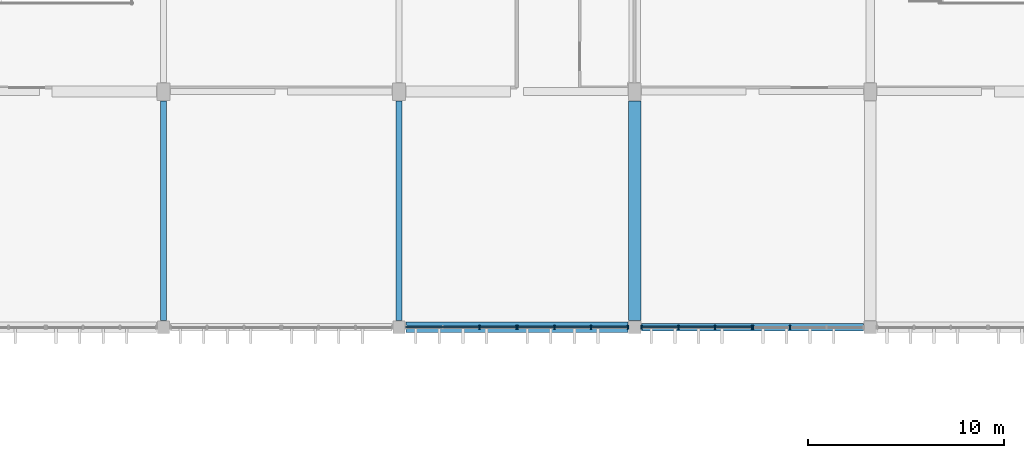
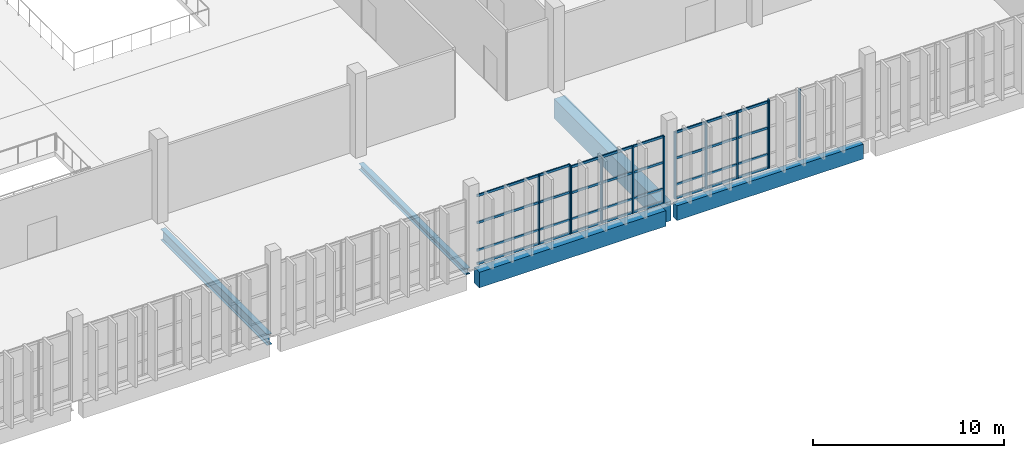
# One storey, part 30 of 112: 24 members, 5 beams, 4 elements without a shape of their own.
"""IFC4 building model written with IfcOpenShell, lengths in metres."""

from ifc_helpers import new_model, si_unit, direction, frame, origin, origin_2d, place, context, subcontext, project, spatial, rectangle, i_section, extrude, material, material_profile, profile_set, type_object, element, aggregate, save


model = new_model("IFC4")

# Units and contexts
model_context = context("Model", 3, precision=1e-05, world=origin(), true_north=direction((0.0, 1.0)))
body_context = subcontext(model_context, "Body", "Model", "MODEL_VIEW")
ifc_project = project(units=[si_unit("LENGTHUNIT", "METRE"), si_unit("AREAUNIT", "SQUARE_METRE"), si_unit("VOLUMEUNIT", "CUBIC_METRE"), si_unit("PLANEANGLEUNIT", "RADIAN"), si_unit("MASSUNIT", "GRAM", prefix="KILO")], contexts=[model_context])

# Site, building, storey
site_placement = place(None, origin())
site = spatial("IfcSite", under=ifc_project, at=site_placement, CompositionType="ELEMENT")
building_placement = place(site_placement, origin())
building = spatial("IfcBuilding", under=site, at=building_placement, Name="Kamomehara Wholesale Market", CompositionType="ELEMENT")
storey_placement = place(building_placement, frame((0.0, 0.0, 6.60009765625)))
storey = spatial("IfcBuildingStorey", under=building, at=storey_placement, Name="L01", CompositionType="ELEMENT", Elevation=6.60009765625)

# Beams
ifc_material_1 = material(Name="Precast concrete Fc45 (C40/50)", Category="concrete")
ifc_material_profile_1 = material_profile(ifc_material_1, rectangle(XDim=0.64990234375, YDim=1.25, at=origin_2d()), Name="PC-GRD-650x1250")
ifc_profile_set_1 = profile_set([ifc_material_profile_1], Name="Precast concrete Fc45 (C40/50)")
beam_type_1 = type_object("IfcBeamType", Name="BM-PG1250", PredefinedType="T_BEAM", material=ifc_profile_set_1)
beam_1_placement = place(storey_placement, frame((120.0, 96.35009765625, -0.97705078125), z_axis=(0.0, 1.0, 0.0), x_axis=(-1.0, 0.0, 0.0)))
element("IfcBeam", 1, at=beam_1_placement, inside=storey, type_object=beam_type_1, Name="Beam PG-04 L01", PredefinedType="T_BEAM", context=body_context, shape_type="SweptSolid", body=[
    extrude(rectangle(XDim=0.64990234375, YDim=1.25, at=origin_2d()), origin(), (0.0, 0.0, 1.0), 11.1748046875),
])
ifc_material_2 = material(Name="Concrete Fc36 (C35/45)", Category="concrete")
ifc_material_profile_2 = material_profile(ifc_material_2, rectangle(XDim=0.550048828125, YDim=1.0, at=origin_2d()), Name="RC-SEB-550x1000")
ifc_profile_set_2 = profile_set([ifc_material_profile_2], Name="Concrete Fc36 (C35/45)")
beam_type_2 = type_object("IfcBeamType", Name="BM-SEB1000-EXT", PredefinedType="SPANDREL", material=ifc_profile_set_2)
beam_2_placement = place(storey_placement, frame((108.35009765625, 96.0, -0.85205078125), z_axis=(1.0, 0.0, 0.0), x_axis=(0.0, 1.0, 0.0)))
element("IfcBeam", 2, at=beam_2_placement, inside=storey, type_object=beam_type_2, Name="Beam SEB-03E L01", PredefinedType="SPANDREL", context=body_context, shape_type="SweptSolid", body=[
    extrude(rectangle(XDim=0.550048828125, YDim=1.0, at=origin_2d()), origin(), (0.0, 0.0, 1.0), 11.2998046875),
])
ifc_material_3 = material(Name="Precast concrete Fc45 (C40/50)", Category="concrete")
ifc_material_profile_3 = material_profile(ifc_material_3, rectangle(XDim=0.39990234375, YDim=0.949951171875, at=origin_2d()), Name="PC-SPN-400x950")
ifc_profile_set_3 = profile_set([ifc_material_profile_3], Name="Precast concrete Fc45 (C40/50)")
beam_type_3 = type_object("IfcBeamType", Name="BM-SPN950-EXT", PredefinedType="SPANDREL", material=ifc_profile_set_3)
beam_3_placement = place(storey_placement, frame((120.35009765625, 96.0, -0.817138671875), z_axis=(1.0, 0.0, 0.0), x_axis=(0.0, 1.0, 0.0)))
element("IfcBeam", 3, at=beam_3_placement, inside=storey, type_object=beam_type_3, Name="Beam SPN-01E L01", PredefinedType="SPANDREL", context=body_context, shape_type="SweptSolid", body=[
    extrude(rectangle(XDim=0.39990234375, YDim=0.949951171875, at=origin_2d()), origin(), (0.0, 0.0, 1.0), 11.2998046875),
])
ifc_material_4 = material(Name="Steel SN490B", Category="steel")
ifc_material_profile_4 = material_profile(ifc_material_4, i_section(OverallWidth=0.300048828125, OverallDepth=0.389892578125, WebThickness=0.010009765625, FlangeThickness=0.01611328125, FilletRadius=0.01806640625, at=origin_2d()), Name="H-390x300x10x16")
ifc_profile_set_4 = profile_set([ifc_material_profile_4], Name="Steel SN490B")
beam_type_4 = type_object("IfcBeamType", Name="BM-ST-H390-EXT", PredefinedType="SPANDREL", material=ifc_profile_set_4)
beam_4_placement = place(storey_placement, frame((108.0, 96.35009765625, -0.547119140625), z_axis=(0.0, 1.0, 0.0), x_axis=(-1.0, 0.0, 0.0)))
element("IfcBeam", 4, at=beam_4_placement, inside=storey, type_object=beam_type_4, Name="Beam SJ-03E L01", PredefinedType="SPANDREL", context=body_context, shape_type="SweptSolid", body=[
    extrude(i_section(OverallWidth=0.300048828125, OverallDepth=0.389892578125, WebThickness=0.010009765625, FlangeThickness=0.01611328125, FilletRadius=0.01806640625, at=origin_2d()), origin(), (0.0, 0.0, 1.0), 11.1748046875),
])
ifc_material_5 = material(Name="Steel SN490B", Category="steel")
ifc_material_profile_5 = material_profile(ifc_material_5, i_section(OverallWidth=0.300048828125, OverallDepth=0.699951171875, WebThickness=0.012939453125, FlangeThickness=0.02392578125, FilletRadius=0.02197265625, at=origin_2d()), Name="H-700x300x13x24")
ifc_profile_set_5 = profile_set([ifc_material_profile_5], Name="Steel SN490B")
beam_type_5 = type_object("IfcBeamType", Name="BM-ST-H700", PredefinedType="BEAM", material=ifc_profile_set_5)
beam_5_placement = place(storey_placement, frame((96.0, 96.35009765625, -0.7021484375), z_axis=(0.0, 1.0, 0.0), x_axis=(-1.0, 0.0, 0.0)))
element("IfcBeam", 5, at=beam_5_placement, inside=storey, type_object=beam_type_5, Name="Beam SG-03 L01", PredefinedType="BEAM", context=body_context, shape_type="SweptSolid", body=[
    extrude(i_section(OverallWidth=0.300048828125, OverallDepth=0.699951171875, WebThickness=0.012939453125, FlangeThickness=0.02392578125, FilletRadius=0.02197265625, at=origin_2d()), origin(), (0.0, 0.0, 1.0), 11.1748046875),
])

# Curtain wall, members
ifc_material_6 = material(Name="Anodised aluminium 6063-T5", Category="aluminium")
curtain_wall_type = type_object("IfcCurtainWallType", Name="CW-UN-02", PredefinedType="NOTDEFINED", material=ifc_material_6)
curtain_wall_1_placement = place(storey_placement, origin())
curtain_wall_1 = element("IfcCurtainWall", 6, at=curtain_wall_1_placement, inside=storey, type_object=curtain_wall_type, Name="Unitised curtain wall CW-075", PredefinedType="NOTDEFINED")
ifc_material_7 = material(Name="Anodised aluminium 6063-T5", Category="aluminium")
ifc_material_profile_6 = material_profile(ifc_material_7, rectangle(XDim=0.074951171875, YDim=0.179931640625, at=origin_2d()), Name="ALU-MUL-75x180")
ifc_profile_set_6 = profile_set([ifc_material_profile_6], Name="Anodised aluminium 6063-T5")
member_type_1 = type_object("IfcMemberType", Name="CW-MUL-180", PredefinedType="MULLION", material=ifc_profile_set_6)
member_1_placement = place(storey_placement, frame((119.64990234375, 96.0, 0.0), z_axis=(0.0, 0.0, 1.0), x_axis=(-1.0, 0.0, 0.0)))
member_1 = element("IfcMember", 7, at=member_1_placement, type_object=member_type_1, Name="Mullion CW-075.0", PredefinedType="MULLION", context=body_context, shape_type="SweptSolid", body=[
    extrude(rectangle(XDim=0.074951171875, YDim=0.179931640625, at=origin_2d()), origin(), (0.0, 0.0, 1.0), 4.27978515625),
])
member_2_placement = place(storey_placement, frame((117.777099609375, 96.0, 0.0), z_axis=(0.0, 0.0, 1.0), x_axis=(-1.0, 0.0, 0.0)))
member_2 = element("IfcMember", 8, at=member_2_placement, type_object=member_type_1, Name="Mullion CW-075.1", PredefinedType="MULLION", context=body_context, shape_type="SweptSolid", body=[
    extrude(rectangle(XDim=0.074951171875, YDim=0.179931640625, at=origin_2d()), origin(), (0.0, 0.0, 1.0), 4.27978515625),
])
member_3_placement = place(storey_placement, frame((115.903076171875, 96.0, 0.0), z_axis=(0.0, 0.0, 1.0), x_axis=(-1.0, 0.0, 0.0)))
member_3 = element("IfcMember", 9, at=member_3_placement, type_object=member_type_1, Name="Mullion CW-075.2", PredefinedType="MULLION", context=body_context, shape_type="SweptSolid", body=[
    extrude(rectangle(XDim=0.074951171875, YDim=0.179931640625, at=origin_2d()), origin(), (0.0, 0.0, 1.0), 4.27978515625),
])
member_4_placement = place(storey_placement, frame((114.030029296875, 96.0, 0.0), z_axis=(0.0, 0.0, 1.0), x_axis=(-1.0, 0.0, 0.0)))
member_4 = element("IfcMember", 10, at=member_4_placement, type_object=member_type_1, Name="Mullion CW-075.3", PredefinedType="MULLION", context=body_context, shape_type="SweptSolid", body=[
    extrude(rectangle(XDim=0.074951171875, YDim=0.179931640625, at=origin_2d()), origin(), (0.0, 0.0, 1.0), 4.27978515625),
])

curtain_wall_2_placement = place(storey_placement, origin())
curtain_wall_2 = element("IfcCurtainWall", 11, at=curtain_wall_2_placement, inside=storey, type_object=curtain_wall_type, Name="Unitised curtain wall CW-076", PredefinedType="NOTDEFINED")
member_5_placement = place(storey_placement, frame((113.969970703125, 96.0, 0.0), z_axis=(0.0, 0.0, 1.0), x_axis=(-1.0, 0.0, 0.0)))
member_5 = element("IfcMember", 12, at=member_5_placement, type_object=member_type_1, Name="Mullion CW-076.0", PredefinedType="MULLION", context=body_context, shape_type="SweptSolid", body=[
    extrude(rectangle(XDim=0.074951171875, YDim=0.179931640625, at=origin_2d()), origin(), (0.0, 0.0, 1.0), 4.429931640625),
])
member_6_placement = place(storey_placement, frame((112.096923828125, 96.0, 0.0), z_axis=(0.0, 0.0, 1.0), x_axis=(-1.0, 0.0, 0.0)))
member_6 = element("IfcMember", 13, at=member_6_placement, type_object=member_type_1, Name="Mullion CW-076.1", PredefinedType="MULLION", context=body_context, shape_type="SweptSolid", body=[
    extrude(rectangle(XDim=0.074951171875, YDim=0.179931640625, at=origin_2d()), origin(), (0.0, 0.0, 1.0), 4.429931640625),
])

curtain_wall_3_placement = place(storey_placement, origin())
curtain_wall_3 = element("IfcCurtainWall", 14, at=curtain_wall_3_placement, inside=storey, type_object=curtain_wall_type, Name="Unitised curtain wall CW-079", PredefinedType="NOTDEFINED")
member_7_placement = place(storey_placement, frame((127.903076171875, 96.0, 0.0), z_axis=(0.0, 0.0, 1.0), x_axis=(-1.0, 0.0, 0.0)))
member_7 = element("IfcMember", 15, at=member_7_placement, type_object=member_type_1, Name="Mullion CW-079.2", PredefinedType="MULLION", context=body_context, shape_type="SweptSolid", body=[
    extrude(rectangle(XDim=0.074951171875, YDim=0.179931640625, at=origin_2d()), origin(), (0.0, 0.0, 1.0), 4.3798828125),
])
member_8_placement = place(storey_placement, frame((126.030029296875, 96.0, 0.0), z_axis=(0.0, 0.0, 1.0), x_axis=(-1.0, 0.0, 0.0)))
member_8 = element("IfcMember", 16, at=member_8_placement, type_object=member_type_1, Name="Mullion CW-079.3", PredefinedType="MULLION", context=body_context, shape_type="SweptSolid", body=[
    extrude(rectangle(XDim=0.074951171875, YDim=0.179931640625, at=origin_2d()), origin(), (0.0, 0.0, 1.0), 4.3798828125),
])
aggregate(curtain_wall_3, [member_7, member_8])

curtain_wall_4_placement = place(storey_placement, origin())
curtain_wall_4 = element("IfcCurtainWall", 17, at=curtain_wall_4_placement, inside=storey, type_object=curtain_wall_type, Name="Unitised curtain wall CW-080", PredefinedType="NOTDEFINED")
member_9_placement = place(storey_placement, frame((125.969970703125, 96.0, 0.0), z_axis=(0.0, 0.0, 1.0), x_axis=(-1.0, 0.0, 0.0)))
member_9 = element("IfcMember", 18, at=member_9_placement, type_object=member_type_1, Name="Mullion CW-080.0", PredefinedType="MULLION", context=body_context, shape_type="SweptSolid", body=[
    extrude(rectangle(XDim=0.074951171875, YDim=0.179931640625, at=origin_2d()), origin(), (0.0, 0.0, 1.0), 4.27978515625),
])
member_10_placement = place(storey_placement, frame((124.096923828125, 96.0, 0.0), z_axis=(0.0, 0.0, 1.0), x_axis=(-1.0, 0.0, 0.0)))
member_10 = element("IfcMember", 19, at=member_10_placement, type_object=member_type_1, Name="Mullion CW-080.1", PredefinedType="MULLION", context=body_context, shape_type="SweptSolid", body=[
    extrude(rectangle(XDim=0.074951171875, YDim=0.179931640625, at=origin_2d()), origin(), (0.0, 0.0, 1.0), 4.27978515625),
])
member_11_placement = place(storey_placement, frame((122.222900390625, 96.0, 0.0), z_axis=(0.0, 0.0, 1.0), x_axis=(-1.0, 0.0, 0.0)))
member_11 = element("IfcMember", 20, at=member_11_placement, type_object=member_type_1, Name="Mullion CW-080.2", PredefinedType="MULLION", context=body_context, shape_type="SweptSolid", body=[
    extrude(rectangle(XDim=0.074951171875, YDim=0.179931640625, at=origin_2d()), origin(), (0.0, 0.0, 1.0), 4.27978515625),
])
member_12_placement = place(storey_placement, frame((120.35009765625, 96.0, 0.0), z_axis=(0.0, 0.0, 1.0), x_axis=(-1.0, 0.0, 0.0)))
member_12 = element("IfcMember", 21, at=member_12_placement, type_object=member_type_1, Name="Mullion CW-080.3", PredefinedType="MULLION", context=body_context, shape_type="SweptSolid", body=[
    extrude(rectangle(XDim=0.074951171875, YDim=0.179931640625, at=origin_2d()), origin(), (0.0, 0.0, 1.0), 4.27978515625),
])

# Member
ifc_material_8 = material(Name="Anodised aluminium 6063-T5", Category="aluminium")
ifc_material_profile_7 = material_profile(ifc_material_8, rectangle(XDim=0.074951171875, YDim=0.14990234375, at=origin_2d()), Name="ALU-TRN-75x150")
ifc_profile_set_7 = profile_set([ifc_material_profile_7], Name="Anodised aluminium 6063-T5")
member_type_2 = type_object("IfcMemberType", Name="CW-TRN-150", PredefinedType="USERDEFINED", material=ifc_profile_set_7)
member_13_placement = place(storey_placement, frame((119.64990234375, 96.0, 0.039794921875), z_axis=(-1.0, 0.0, 0.0), x_axis=(0.0, -1.0, 0.0)))
member_13 = element("IfcMember", 22, at=member_13_placement, type_object=member_type_2, Name="Transom CW-075.0", ObjectType="TRANSOM", PredefinedType="USERDEFINED", context=body_context, shape_type="SweptSolid", body=[
    extrude(rectangle(XDim=0.074951171875, YDim=0.14990234375, at=origin_2d()), origin(), (0.0, 0.0, 1.0), 5.619873046875),
])

member_14_placement = place(storey_placement, frame((119.64990234375, 96.0, 0.89990234375), z_axis=(-1.0, 0.0, 0.0), x_axis=(0.0, -1.0, 0.0)))
member_14 = element("IfcMember", 23, at=member_14_placement, type_object=member_type_2, Name="Transom CW-075.1", ObjectType="TRANSOM", PredefinedType="USERDEFINED", context=body_context, shape_type="SweptSolid", body=[
    extrude(rectangle(XDim=0.074951171875, YDim=0.14990234375, at=origin_2d()), origin(), (0.0, 0.0, 1.0), 5.619873046875),
])

member_15_placement = place(storey_placement, frame((119.64990234375, 96.0, 2.58984375), z_axis=(-1.0, 0.0, 0.0), x_axis=(0.0, -1.0, 0.0)))
member_15 = element("IfcMember", 24, at=member_15_placement, type_object=member_type_2, Name="Transom CW-075.2", ObjectType="TRANSOM", PredefinedType="USERDEFINED", context=body_context, shape_type="SweptSolid", body=[
    extrude(rectangle(XDim=0.074951171875, YDim=0.14990234375, at=origin_2d()), origin(), (0.0, 0.0, 1.0), 5.619873046875),
])

member_16_placement = place(storey_placement, frame((119.64990234375, 96.0, 4.239990234375), z_axis=(-1.0, 0.0, 0.0), x_axis=(0.0, -1.0, 0.0)))
member_16 = element("IfcMember", 25, at=member_16_placement, type_object=member_type_2, Name="Transom CW-075.3", ObjectType="TRANSOM", PredefinedType="USERDEFINED", context=body_context, shape_type="SweptSolid", body=[
    extrude(rectangle(XDim=0.074951171875, YDim=0.14990234375, at=origin_2d()), origin(), (0.0, 0.0, 1.0), 5.619873046875),
])

aggregate(curtain_wall_1, [member_1, member_2, member_3, member_4, member_13, member_14, member_15, member_16])

member_17_placement = place(storey_placement, frame((113.969970703125, 96.0, 0.039794921875), z_axis=(-1.0, 0.0, 0.0), x_axis=(0.0, -1.0, 0.0)))
member_17 = element("IfcMember", 26, at=member_17_placement, type_object=member_type_2, Name="Transom CW-076.0", ObjectType="TRANSOM", PredefinedType="USERDEFINED", context=body_context, shape_type="SweptSolid", body=[
    extrude(rectangle(XDim=0.074951171875, YDim=0.14990234375, at=origin_2d()), origin(), (0.0, 0.0, 1.0), 5.619873046875),
])

member_18_placement = place(storey_placement, frame((113.969970703125, 96.0, 0.89990234375), z_axis=(-1.0, 0.0, 0.0), x_axis=(0.0, -1.0, 0.0)))
member_18 = element("IfcMember", 27, at=member_18_placement, type_object=member_type_2, Name="Transom CW-076.1", ObjectType="TRANSOM", PredefinedType="USERDEFINED", context=body_context, shape_type="SweptSolid", body=[
    extrude(rectangle(XDim=0.074951171875, YDim=0.14990234375, at=origin_2d()), origin(), (0.0, 0.0, 1.0), 5.619873046875),
])

member_19_placement = place(storey_placement, frame((113.969970703125, 96.0, 2.664794921875), z_axis=(-1.0, 0.0, 0.0), x_axis=(0.0, -1.0, 0.0)))
member_19 = element("IfcMember", 28, at=member_19_placement, type_object=member_type_2, Name="Transom CW-076.2", ObjectType="TRANSOM", PredefinedType="USERDEFINED", context=body_context, shape_type="SweptSolid", body=[
    extrude(rectangle(XDim=0.074951171875, YDim=0.14990234375, at=origin_2d()), origin(), (0.0, 0.0, 1.0), 5.619873046875),
])

member_20_placement = place(storey_placement, frame((113.969970703125, 96.0, 4.389892578125), z_axis=(-1.0, 0.0, 0.0), x_axis=(0.0, -1.0, 0.0)))
member_20 = element("IfcMember", 29, at=member_20_placement, type_object=member_type_2, Name="Transom CW-076.3", ObjectType="TRANSOM", PredefinedType="USERDEFINED", context=body_context, shape_type="SweptSolid", body=[
    extrude(rectangle(XDim=0.074951171875, YDim=0.14990234375, at=origin_2d()), origin(), (0.0, 0.0, 1.0), 5.619873046875),
])

aggregate(curtain_wall_2, [member_5, member_6, member_17, member_18, member_19, member_20])

member_21_placement = place(storey_placement, frame((125.969970703125, 96.0, 0.039794921875), z_axis=(-1.0, 0.0, 0.0), x_axis=(0.0, -1.0, 0.0)))
member_21 = element("IfcMember", 30, at=member_21_placement, type_object=member_type_2, Name="Transom CW-080.0", ObjectType="TRANSOM", PredefinedType="USERDEFINED", context=body_context, shape_type="SweptSolid", body=[
    extrude(rectangle(XDim=0.074951171875, YDim=0.14990234375, at=origin_2d()), origin(), (0.0, 0.0, 1.0), 5.619873046875),
])

member_22_placement = place(storey_placement, frame((125.969970703125, 96.0, 0.89990234375), z_axis=(-1.0, 0.0, 0.0), x_axis=(0.0, -1.0, 0.0)))
member_22 = element("IfcMember", 31, at=member_22_placement, type_object=member_type_2, Name="Transom CW-080.1", ObjectType="TRANSOM", PredefinedType="USERDEFINED", context=body_context, shape_type="SweptSolid", body=[
    extrude(rectangle(XDim=0.074951171875, YDim=0.14990234375, at=origin_2d()), origin(), (0.0, 0.0, 1.0), 5.619873046875),
])

member_23_placement = place(storey_placement, frame((125.969970703125, 96.0, 2.58984375), z_axis=(-1.0, 0.0, 0.0), x_axis=(0.0, -1.0, 0.0)))
member_23 = element("IfcMember", 32, at=member_23_placement, type_object=member_type_2, Name="Transom CW-080.2", ObjectType="TRANSOM", PredefinedType="USERDEFINED", context=body_context, shape_type="SweptSolid", body=[
    extrude(rectangle(XDim=0.074951171875, YDim=0.14990234375, at=origin_2d()), origin(), (0.0, 0.0, 1.0), 5.619873046875),
])

member_24_placement = place(storey_placement, frame((125.969970703125, 96.0, 4.239990234375), z_axis=(-1.0, 0.0, 0.0), x_axis=(0.0, -1.0, 0.0)))
member_24 = element("IfcMember", 33, at=member_24_placement, type_object=member_type_2, Name="Transom CW-080.3", ObjectType="TRANSOM", PredefinedType="USERDEFINED", context=body_context, shape_type="SweptSolid", body=[
    extrude(rectangle(XDim=0.074951171875, YDim=0.14990234375, at=origin_2d()), origin(), (0.0, 0.0, 1.0), 5.619873046875),
])

aggregate(curtain_wall_4, [member_9, member_10, member_11, member_12, member_21, member_22, member_23, member_24])

save(model, "model.ifc")
